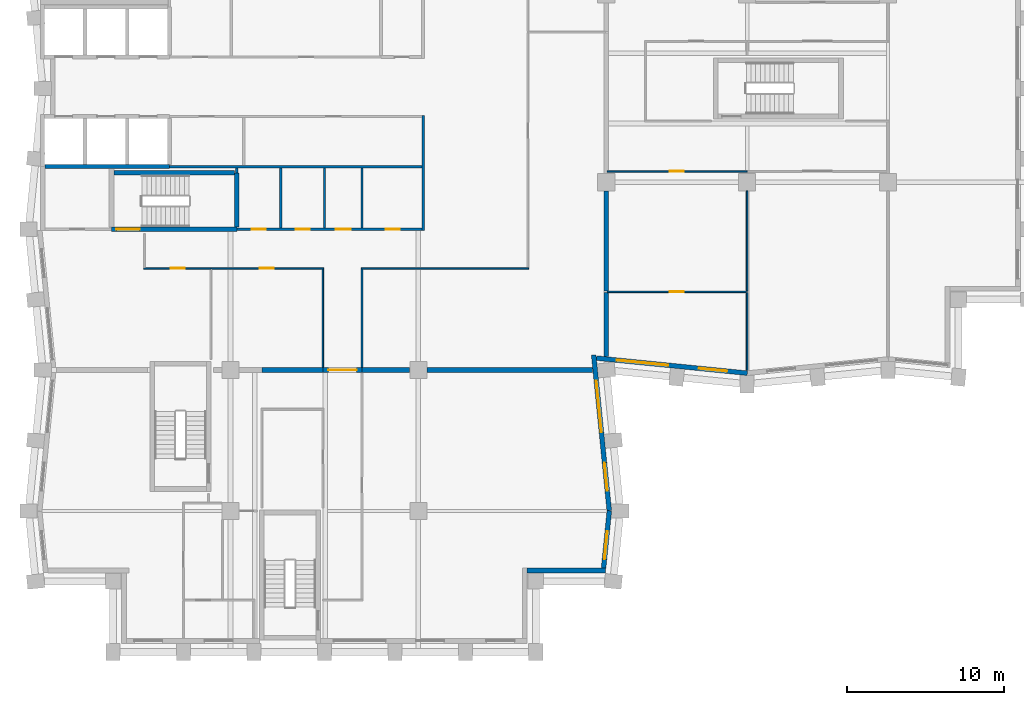
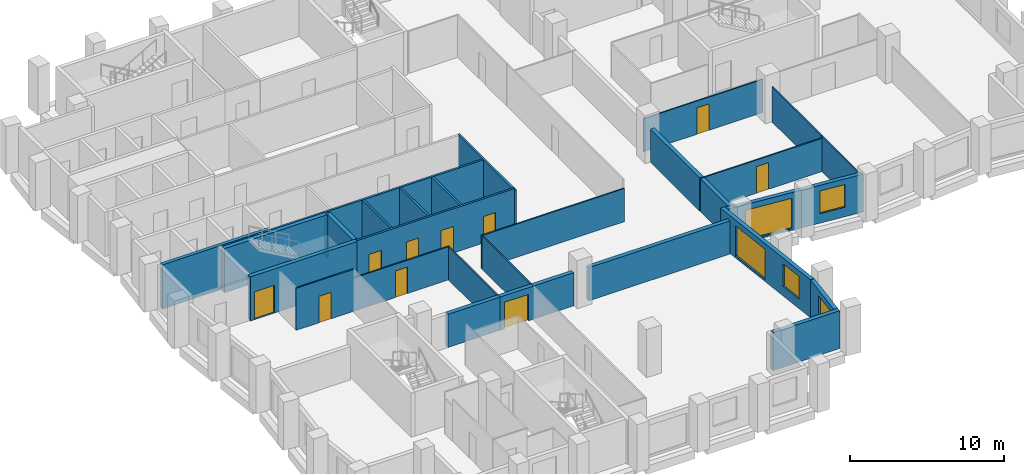
# One storey, part 4 of 10: 30 walls, 10 doors, 5 windows, 15 openings.
"""IFC4 building model written with IfcOpenShell, lengths in metres."""

from ifc_helpers import new_model, si_unit, direction, frame, frame_2d, origin, place, context, subcontext, project, spatial, rectangle, extrude, material, layer, layer_set, type_object, element, fill, save


model = new_model("IFC4")

# Units and contexts
model_context = context("Model", 3, precision=1e-05, world=origin(), true_north=direction((0.0, 1.0)))
body_context = subcontext(model_context, "Body", "Model", "MODEL_VIEW")
ifc_project = project(units=[si_unit("LENGTHUNIT", "METRE"), si_unit("AREAUNIT", "SQUARE_METRE"), si_unit("VOLUMEUNIT", "CUBIC_METRE"), si_unit("PLANEANGLEUNIT", "RADIAN"), si_unit("MASSUNIT", "GRAM", prefix="KILO")], contexts=[model_context])

# Site, building, storey
site_placement = place(None, origin())
site = spatial("IfcSite", under=ifc_project, at=site_placement, CompositionType="ELEMENT")
building_placement = place(site_placement, origin())
building = spatial("IfcBuilding", under=site, at=building_placement, Name="Brondeck Convention Tower", CompositionType="ELEMENT")
storey_placement = place(building_placement, frame((0.0, 0.0, 189.0)))
storey = spatial("IfcBuildingStorey", under=building, at=storey_placement, Name="L46", CompositionType="ELEMENT", Elevation=189.0)

# Wall
ifc_material_1 = material(Name="Concrete compartment wall C30/37", Category="concrete")
ifc_layer_1 = layer(ifc_material_1, 0.300048828125)
ifc_layer_set_1 = layer_set([ifc_layer_1], Name="Compartment wall 300")
wall_type_1 = type_object("IfcWallType", Name="Compartment wall 300", PredefinedType="PARTITIONING", material=ifc_layer_set_1)
wall_1_placement = place(storey_placement, frame((14.0, 27.0, 0.0), z_axis=(0.0, 0.0, 1.0), x_axis=(1.0, 0.0, 0.0)))
element("IfcWall", 1, at=wall_1_placement, inside=storey, type_object=wall_type_1, Name="FLR-L46-W020", PredefinedType="PARTITIONING", context=body_context, shape_type="SweptSolid", body=[
    extrude(rectangle(XDim=3.89990234375, YDim=0.300048828125, at=frame_2d((1.949951171875, 0.0))), origin(), (0.0, 0.0, 1.0), 2.6298828125),
])

# Wall, opening, door
wall_2_placement = place(storey_placement, frame((20.39990234375, 27.0, 0.0), z_axis=(0.0, 0.0, 1.0), x_axis=(-1.0, 0.0, 0.0)))
wall_2 = element("IfcWall", 2, at=wall_2_placement, inside=storey, type_object=wall_type_1, Name="FLR-L46-W021", PredefinedType="PARTITIONING", context=body_context, shape_type="SweptSolid", body=[
    extrude(rectangle(XDim=2.5, YDim=0.300048828125, at=frame_2d((1.25, 0.0))), origin(), (0.0, 0.0, 1.0), 2.6298828125),
])
opening_1_placement = place(wall_2_placement, frame((0.35009765625, 0.0, 0.0)))
opening_1 = element("IfcOpeningElement", 3, at=opening_1_placement, cuts=wall_2, Name="Opening OF-J-016", PredefinedType="OPENING", context=body_context, shape_type="SweptSolid", body=[
    extrude(rectangle(XDim=1.800048828125, YDim=2.10009765625, at=frame_2d((0.89990234375, 1.050048828125))), frame((0.0, 0.159912109375, 0.0), z_axis=(0.0, -1.0, 0.0), x_axis=(1.0, 0.0, 0.0)), (0.0, 0.0, 1.0), 0.320068359375),
])
ifc_material_2 = material(Name="Steel fire door pair", Category="steel")
door_type_1 = type_object("IfcDoorType", Name="Fire door pair 1800", OperationType="DOUBLE_DOOR_SINGLE_SWING", PredefinedType="DOOR", material=ifc_material_2)
door_1_placement = place(opening_1_placement, origin())
door_1 = element("IfcDoor", 4, at=door_1_placement, inside=storey, type_object=door_type_1, Name="Door OF-J-016", OperationType="DOUBLE_DOOR_SINGLE_SWING", OverallHeight=2.10009765625, OverallWidth=1.800048828125, PredefinedType="DOOR", context=body_context, shape_type="SweptSolid", body=[
    extrude(rectangle(XDim=1.800048828125, YDim=2.10009765625, at=frame_2d((0.89990234375, 1.050048828125))), frame((0.0, 0.02490234375, 0.0), z_axis=(0.0, -1.0, 0.0), x_axis=(1.0, 0.0, 0.0)), (0.0, 0.0, 1.0), 0.050048828125),
])
fill(opening_1, door_1)

# Walls
wall_3_placement = place(storey_placement, frame((20.39990234375, 27.0, 0.0), z_axis=(0.0, 0.0, 1.0), x_axis=(1.0, 0.0, 0.0)))
element("IfcWall", 5, at=wall_3_placement, inside=storey, type_object=wall_type_1, Name="FLR-L46-W022", PredefinedType="PARTITIONING", context=body_context, shape_type="SweptSolid", body=[
    extrude(rectangle(XDim=3.045166015625, YDim=0.300048828125, at=frame_2d((1.5224609375, 0.0))), origin(), (0.0, 0.0, 1.0), 2.6298828125),
])
wall_4_placement = place(storey_placement, frame((24.554931640625, 27.0, 0.0), z_axis=(0.0, 0.0, 1.0), x_axis=(1.0, 0.0, 0.0)))
element("IfcWall", 6, at=wall_4_placement, inside=storey, type_object=wall_type_1, Name="FLR-L46-W023", PredefinedType="PARTITIONING", context=body_context, shape_type="SweptSolid", body=[
    extrude(rectangle(XDim=10.57080078125, YDim=0.300048828125, at=frame_2d((5.285400390625, 0.0))), origin(), (0.0, 0.0, 1.0), 2.6298828125),
])
wall_5_placement = place(storey_placement, frame((36.0, 27.874267578125, 0.0), z_axis=(0.0, 0.0, 1.0), x_axis=(0.0, 1.0, 0.0)))
element("IfcWall", 7, at=wall_5_placement, inside=storey, type_object=wall_type_1, Name="FLR-L46-W026", PredefinedType="PARTITIONING", context=body_context, shape_type="SweptSolid", body=[
    extrude(rectangle(XDim=4.07568359375, YDim=0.300048828125, at=frame_2d((2.037841796875, 0.0))), origin(), (0.0, 0.0, 1.0), 2.6298828125),
])
wall_6_placement = place(storey_placement, frame((36.0, 32.050048828125, 0.0), z_axis=(0.0, 0.0, 1.0), x_axis=(0.0, 1.0, 0.0)))
element("IfcWall", 8, at=wall_6_placement, inside=storey, type_object=wall_type_1, Name="FLR-L46-W029", PredefinedType="PARTITIONING", context=body_context, shape_type="SweptSolid", body=[
    extrude(rectangle(XDim=6.39501953125, YDim=0.300048828125, at=frame_2d((3.197509765625, 0.0))), origin(), (0.0, 0.0, 1.0), 2.6298828125),
])

# Wall, openings, doors
ifc_material_3 = material(Name="Concrete C70/85", Category="concrete")
ifc_layer_2 = layer(ifc_material_3, 0.14990234375)
ifc_layer_set_2 = layer_set([ifc_layer_2], Name="Core beam-seat wall 150 Concrete C70/85")
wall_type_2 = type_object("IfcWallType", Name="Core beam-seat wall 150 Concrete C70/85", PredefinedType="SHEAR", material=ifc_layer_set_2)
wall_7_placement = place(storey_placement, frame((12.39990234375, 36.0, 0.0), z_axis=(0.0, 0.0, 1.0), x_axis=(1.0, 0.0, 0.0)))
wall_7 = element("IfcWall", 9, at=wall_7_placement, inside=storey, type_object=wall_type_2, Name="L46 core wall", PredefinedType="SHEAR", context=body_context, shape_type="SweptSolid", body=[
    extrude(rectangle(XDim=11.8251953125, YDim=0.14990234375, at=frame_2d((5.91259765625, 0.0))), origin(), (0.0, 0.0, 1.0), 3.5),
])
opening_2_placement = place(wall_7_placement, frame((0.949951171875, 0.0, 0.0)))
opening_2 = element("IfcOpeningElement", 10, at=opening_2_placement, cuts=wall_7, Name="Opening C25-03", PredefinedType="OPENING", context=body_context, shape_type="SweptSolid", body=[
    extrude(rectangle(XDim=0.89990234375, YDim=2.10009765625, at=frame_2d((0.449951171875, 1.050048828125))), frame((0.0, 0.0849609375, 0.0), z_axis=(0.0, -1.0, 0.0), x_axis=(1.0, 0.0, 0.0)), (0.0, 0.0, 1.0), 0.169921875),
])
opening_3_placement = place(wall_7_placement, frame((3.75, 0.0, 0.0)))
opening_3 = element("IfcOpeningElement", 11, at=opening_3_placement, cuts=wall_7, Name="Opening C25-04", PredefinedType="OPENING", context=body_context, shape_type="SweptSolid", body=[
    extrude(rectangle(XDim=0.89990234375, YDim=2.10009765625, at=frame_2d((0.449951171875, 1.050048828125))), frame((0.0, 0.0849609375, 0.0), z_axis=(0.0, -1.0, 0.0), x_axis=(1.0, 0.0, 0.0)), (0.0, 0.0, 1.0), 0.169921875),
])
opening_4_placement = place(wall_7_placement, frame((6.324951171875, 0.0, 0.0)))
opening_4 = element("IfcOpeningElement", 12, at=opening_4_placement, cuts=wall_7, Name="Opening C25-05", PredefinedType="OPENING", context=body_context, shape_type="SweptSolid", body=[
    extrude(rectangle(XDim=0.949951171875, YDim=2.10009765625, at=frame_2d((0.47509765625, 1.050048828125))), frame((0.0, 0.0849609375, 0.0), z_axis=(0.0, -1.0, 0.0), x_axis=(1.0, 0.0, 0.0)), (0.0, 0.0, 1.0), 0.169921875),
])
opening_5_placement = place(wall_7_placement, frame((9.5, 0.0, 0.0)))
opening_5 = element("IfcOpeningElement", 13, at=opening_5_placement, cuts=wall_7, Name="Opening C25-06", PredefinedType="OPENING", context=body_context, shape_type="SweptSolid", body=[
    extrude(rectangle(XDim=0.89990234375, YDim=2.10009765625, at=frame_2d((0.449951171875, 1.050048828125))), frame((0.0, 0.0849609375, 0.0), z_axis=(0.0, -1.0, 0.0), x_axis=(1.0, 0.0, 0.0)), (0.0, 0.0, 1.0), 0.169921875),
])
ifc_material_4 = material(Name="Steel fire door", Category="steel")
door_type_2 = type_object("IfcDoorType", Name="Room door 900x2100 EI 60", OperationType="NOTDEFINED", PredefinedType="DOOR", material=ifc_material_4)
door_2_placement = place(opening_2_placement, origin())
door_2 = element("IfcDoor", 14, at=door_2_placement, inside=storey, type_object=door_type_2, Name="L46 Room door FR-1", OperationType="SINGLE_SWING_RIGHT", OverallHeight=2.10009765625, OverallWidth=0.89990234375, PredefinedType="DOOR", context=body_context, shape_type="SweptSolid", body=[
    extrude(rectangle(XDim=0.89990234375, YDim=2.10009765625, at=frame_2d((0.449951171875, 1.050048828125))), frame((0.0, 0.02490234375, 0.0), z_axis=(0.0, -1.0, 0.0), x_axis=(1.0, 0.0, 0.0)), (0.0, 0.0, 1.0), 0.050048828125),
])
fill(opening_2, door_2)
door_3_placement = place(opening_3_placement, origin())
door_3 = element("IfcDoor", 15, at=door_3_placement, inside=storey, type_object=door_type_2, Name="L46 Room door FR-2", OperationType="SINGLE_SWING_LEFT", OverallHeight=2.10009765625, OverallWidth=0.89990234375, PredefinedType="DOOR", context=body_context, shape_type="SweptSolid", body=[
    extrude(rectangle(XDim=0.89990234375, YDim=2.10009765625, at=frame_2d((0.449951171875, 1.050048828125))), frame((0.0, 0.02490234375, 0.0), z_axis=(0.0, -1.0, 0.0), x_axis=(1.0, 0.0, 0.0)), (0.0, 0.0, 1.0), 0.050048828125),
])
fill(opening_3, door_3)
door_4_placement = place(opening_5_placement, origin())
door_4 = element("IfcDoor", 16, at=door_4_placement, inside=storey, type_object=door_type_2, Name="L46 Room door FR-4", OperationType="SINGLE_SWING_LEFT", OverallHeight=2.10009765625, OverallWidth=0.89990234375, PredefinedType="DOOR", context=body_context, shape_type="SweptSolid", body=[
    extrude(rectangle(XDim=0.89990234375, YDim=2.10009765625, at=frame_2d((0.449951171875, 1.050048828125))), frame((0.0, 0.02490234375, 0.0), z_axis=(0.0, -1.0, 0.0), x_axis=(1.0, 0.0, 0.0)), (0.0, 0.0, 1.0), 0.050048828125),
])
fill(opening_5, door_4)
door_type_3 = type_object("IfcDoorType", Name="Room door 950x2100 EI 60", OperationType="NOTDEFINED", PredefinedType="DOOR", material=ifc_material_4)
door_5_placement = place(opening_4_placement, origin())
door_5 = element("IfcDoor", 17, at=door_5_placement, inside=storey, type_object=door_type_3, Name="L46 Room door FR-3", OperationType="SINGLE_SWING_RIGHT", OverallHeight=2.10009765625, OverallWidth=0.949951171875, PredefinedType="DOOR", context=body_context, shape_type="SweptSolid", body=[
    extrude(rectangle(XDim=0.949951171875, YDim=2.10009765625, at=frame_2d((0.47509765625, 1.050048828125))), frame((0.0, 0.02490234375, 0.0), z_axis=(0.0, -1.0, 0.0), x_axis=(1.0, 0.0, 0.0)), (0.0, 0.0, 1.0), 0.050048828125),
])
fill(opening_4, door_5)

# Walls
ifc_material_5 = material(Name="Fire-rated gypsum board partition")
ifc_layer_3 = layer(ifc_material_5, 0.14990234375)
ifc_layer_set_3 = layer_set([ifc_layer_3], Name="Core partition 150 EI 60")
wall_type_3 = type_object("IfcWallType", Name="Core partition 150 EI 60", PredefinedType="PARTITIONING", material=ifc_layer_set_3)
wall_8_placement = place(storey_placement, frame((8.10009765625, 40.0, 0.0), z_axis=(0.0, 0.0, 1.0), x_axis=(1.0, 0.0, 0.0)))
element("IfcWall", 18, at=wall_8_placement, inside=storey, type_object=wall_type_3, Name="L46 core wall", PredefinedType="PARTITIONING", context=body_context, shape_type="SweptSolid", body=[
    extrude(rectangle(XDim=16.125, YDim=0.14990234375, at=frame_2d((8.0625, 0.0))), origin(), (0.0, 0.0, 1.0), 3.35009765625),
])
wall_9_placement = place(storey_placement, frame((12.39990234375, 39.60009765625, 0.0), z_axis=(0.0, 0.0, 1.0), x_axis=(0.0, 1.0, 0.0)))
element("IfcWall", 19, at=wall_9_placement, inside=storey, type_object=wall_type_3, Name="L46 core wall", PredefinedType="PARTITIONING", context=body_context, shape_type="SweptSolid", body=[
    extrude(rectangle(XDim=0.324951171875, YDim=0.14990234375, at=frame_2d((0.16259765625, 0.0))), origin(), (0.0, 0.0, 1.0), 3.35009765625),
])
for number, where, z_axis, x_axis, name in (
    (20, (15.199951171875, 36.074951171875, 0.0), (0.0, 0.0, 1.0), (0.0, 1.0, 0.0), "L46 core wall"),
    (21, (18.0, 36.074951171875, 0.0), (0.0, 0.0, 1.0), (0.0, 1.0, 0.0), "L46 core wall"),
    (22, (20.39990234375, 36.074951171875, 0.0), (0.0, 0.0, 1.0), (0.0, 1.0, 0.0), "L46 core wall"),
):
    element("IfcWall", number, at=place(storey_placement, frame(where, z_axis=z_axis, x_axis=x_axis)), inside=storey, type_object=wall_type_3, Name=name, PredefinedType="PARTITIONING", context=body_context, shape_type="SweptSolid", body=[
        extrude(rectangle(XDim=3.85009765625, YDim=0.14990234375, at=frame_2d((1.925048828125, 0.0))), origin(), (0.0, 0.0, 1.0), 3.35009765625),
    ])
wall_10_placement = place(storey_placement, frame((24.300048828125, 35.925048828125, 0.0), z_axis=(0.0, 0.0, 1.0), x_axis=(0.0, 1.0, 0.0)))
element("IfcWall", 23, at=wall_10_placement, inside=storey, type_object=wall_type_3, Name="L46 core wall", PredefinedType="PARTITIONING", context=body_context, shape_type="SweptSolid", body=[
    extrude(rectangle(XDim=7.349853515625, YDim=0.14990234375, at=frame_2d((3.6748046875, 0.0))), origin(), (0.0, 0.0, 1.0), 3.35009765625),
])
ifc_material_6 = material(Name="Precast concrete C50/60 bronze finish", Category="concrete")
ifc_layer_4 = layer(ifc_material_6, 0.070068359375, Name="Bronze precast facing")
ifc_material_7 = material(Name="Mineral wool")
ifc_layer_5 = layer(ifc_material_7, 0.159912109375, Name="Insulation")
ifc_material_8 = material(Name="Concrete C35/45", Category="concrete")
ifc_layer_6 = layer(ifc_material_8, 0.070068359375, Name="Backing")
ifc_layer_set_4 = layer_set([ifc_layer_4, ifc_layer_5, ifc_layer_6], Name="External infill wall, precast concrete C50/60 bronze facing")
wall_type_4 = type_object("IfcWallType", Name="External infill wall, precast concrete C50/60 bronze facing", PredefinedType="SOLIDWALL", material=ifc_layer_set_4)
wall_11_placement = place(storey_placement, frame((35.952392578125, 14.199951171875, 0.0), z_axis=(0.0, 0.0, 1.0), x_axis=(-1.0, 0.0, 0.0)))
element("IfcWall", 24, at=wall_11_placement, inside=storey, type_object=wall_type_4, Name="ENV-EW-L46-P1-NC-SEB9-02", PredefinedType="SOLIDWALL", context=body_context, shape_type="SweptSolid", body=[
    extrude(rectangle(XDim=5.00244140625, YDim=0.300048828125, at=frame_2d((2.501220703125, 0.0))), origin(), (0.0, 0.0, 1.0), 3.0),
])

# Wall, opening, window
wall_12_placement = place(storey_placement, frame((36.197998046875, 18.014892578125, 0.0), z_axis=(0.0, 0.0, 1.0), x_axis=(-0.099529980022, -0.99503456376, 0.0)))
wall_12 = element("IfcWall", 25, at=wall_12_placement, inside=storey, type_object=wall_type_4, Name="ENV-EW-L46-P1-B-E-02", PredefinedType="SOLIDWALL", context=body_context, shape_type="SweptSolid", body=[
    extrude(rectangle(XDim=3.681884765625, YDim=0.300048828125, at=frame_2d((1.8408203125, 0.0))), origin(), (0.0, 0.0, 1.0), 3.0),
])
opening_6_placement = place(wall_12_placement, frame((1.30615234375, 0.0, 0.75)))
opening_6 = element("IfcOpeningElement", 26, at=opening_6_placement, cuts=wall_12, Name="Opening W10", PredefinedType="OPENING", context=body_context, shape_type="SweptSolid", body=[
    extrude(rectangle(XDim=1.800048828125, YDim=1.800048828125, at=frame_2d((0.89990234375, 0.89990234375))), frame((0.0, 0.159912109375, 0.0), z_axis=(0.0, -1.0, 0.0), x_axis=(1.0, 0.0, 0.0)), (0.0, 0.0, 1.0), 0.320068359375),
])
ifc_material_9 = material(Name="Bronze tinted double glazing", Category="glass")
window_type_1 = type_object("IfcWindowType", Name="Punched window, bronze tinted", PartitioningType="SINGLE_PANEL", PredefinedType="WINDOW", material=ifc_material_9)
window_1_placement = place(opening_6_placement, origin())
window_1 = element("IfcWindow", 27, at=window_1_placement, inside=storey, type_object=window_type_1, Name="ENV-WN-L46-P1-B-E-02", OverallHeight=1.800048828125, OverallWidth=1.800048828125, PartitioningType="SINGLE_PANEL", PredefinedType="WINDOW", context=body_context, shape_type="SweptSolid", body=[
    extrude(rectangle(XDim=1.800048828125, YDim=1.800048828125, at=frame_2d((0.89990234375, 0.89990234375))), frame((0.0, 0.030029296875, 0.0), z_axis=(0.0, -1.0, 0.0), x_axis=(1.0, 0.0, 0.0)), (0.0, 0.0, 1.0), 0.06005859375),
])
fill(opening_6, window_1)

# Wall, openings, windows
wall_13_placement = place(storey_placement, frame((35.2001953125, 27.964111328125, 0.0), z_axis=(0.0, 0.0, 1.0), x_axis=(0.099501297882, -0.995037432321, 0.0)))
wall_13 = element("IfcWall", 28, at=wall_13_placement, inside=storey, type_object=wall_type_4, Name="ENV-EW-L46-P1-B-E-01", PredefinedType="SOLIDWALL", context=body_context, shape_type="SweptSolid", body=[
    extrude(rectangle(XDim=9.98388671875, YDim=0.300048828125, at=frame_2d((4.991943359375, 0.0))), origin(), (0.0, 0.0, 1.0), 3.0),
])
opening_7_placement = place(wall_13_placement, frame((1.650146484375, 0.0, 0.14990234375)))
opening_7 = element("IfcOpeningElement", 29, at=opening_7_placement, cuts=wall_13, Name="Opening W9", PredefinedType="OPENING", context=body_context, shape_type="SweptSolid", body=[
    extrude(rectangle(XDim=3.300048828125, YDim=2.39990234375, at=frame_2d((1.64990234375, 1.199951171875))), frame((0.0, 0.159912109375, 0.0), z_axis=(0.0, -1.0, 0.0), x_axis=(1.0, 0.0, 0.0)), (0.0, 0.0, 1.0), 0.320068359375),
])
opening_8_placement = place(wall_13_placement, frame((6.922607421875, 0.0, 0.75)))
opening_8 = element("IfcOpeningElement", 30, at=opening_8_placement, cuts=wall_13, Name="Opening W10", PredefinedType="OPENING", context=body_context, shape_type="SweptSolid", body=[
    extrude(rectangle(XDim=1.800048828125, YDim=1.800048828125, at=frame_2d((0.89990234375, 0.89990234375))), frame((0.0, 0.159912109375, 0.0), z_axis=(0.0, -1.0, 0.0), x_axis=(1.0, 0.0, 0.0)), (0.0, 0.0, 1.0), 0.320068359375),
])
window_type_2 = type_object("IfcWindowType", Name="Glazed flute window, bronze tinted", PartitioningType="SINGLE_PANEL", PredefinedType="WINDOW", material=ifc_material_9)
window_2_placement = place(opening_7_placement, origin())
window_2 = element("IfcWindow", 31, at=window_2_placement, inside=storey, type_object=window_type_2, Name="ENV-WN-L46-P1-B-E-00", OverallHeight=2.39990234375, OverallWidth=3.300048828125, PartitioningType="SINGLE_PANEL", PredefinedType="WINDOW", context=body_context, shape_type="SweptSolid", body=[
    extrude(rectangle(XDim=3.300048828125, YDim=2.39990234375, at=frame_2d((1.64990234375, 1.199951171875))), frame((0.0, 0.030029296875, 0.0), z_axis=(0.0, -1.0, 0.0), x_axis=(1.0, 0.0, 0.0)), (0.0, 0.0, 1.0), 0.06005859375),
])
fill(opening_7, window_2)
window_3_placement = place(opening_8_placement, origin())
window_3 = element("IfcWindow", 32, at=window_3_placement, inside=storey, type_object=window_type_1, Name="ENV-WN-L46-P1-B-E-01", OverallHeight=1.800048828125, OverallWidth=1.800048828125, PartitioningType="SINGLE_PANEL", PredefinedType="WINDOW", context=body_context, shape_type="SweptSolid", body=[
    extrude(rectangle(XDim=1.800048828125, YDim=1.800048828125, at=frame_2d((0.89990234375, 0.89990234375))), frame((0.0, 0.030029296875, 0.0), z_axis=(0.0, -1.0, 0.0), x_axis=(1.0, 0.0, 0.0)), (0.0, 0.0, 1.0), 0.06005859375),
])
fill(opening_8, window_3)

wall_14_placement = place(storey_placement, frame((45.014892578125, 26.802001953125, 0.0), z_axis=(0.0, 0.0, 1.0), x_axis=(-0.995037689759, 0.099498723402, 0.0)))
wall_14 = element("IfcWall", 33, at=wall_14_placement, inside=storey, type_object=wall_type_4, Name="ENV-EW-L46-P1-A-S-00", PredefinedType="SOLIDWALL", context=body_context, shape_type="SweptSolid", body=[
    extrude(rectangle(XDim=9.677490234375, YDim=0.300048828125, at=frame_2d((4.8388671875, 0.0))), origin(), (0.0, 0.0, 1.0), 3.0),
])
opening_9_placement = place(wall_14_placement, frame((1.30615234375, 0.0, 0.75)))
opening_9 = element("IfcOpeningElement", 34, at=opening_9_placement, cuts=wall_14, Name="Opening W10", PredefinedType="OPENING", context=body_context, shape_type="SweptSolid", body=[
    extrude(rectangle(XDim=1.800048828125, YDim=1.800048828125, at=frame_2d((0.89990234375, 0.89990234375))), frame((0.0, 0.159912109375, 0.0), z_axis=(0.0, -1.0, 0.0), x_axis=(1.0, 0.0, 0.0)), (0.0, 0.0, 1.0), 0.320068359375),
])
opening_10_placement = place(wall_14_placement, frame((5.07861328125, 0.0, 0.14990234375)))
opening_10 = element("IfcOpeningElement", 35, at=opening_10_placement, cuts=wall_14, Name="Opening W9", PredefinedType="OPENING", context=body_context, shape_type="SweptSolid", body=[
    extrude(rectangle(XDim=3.300048828125, YDim=2.39990234375, at=frame_2d((1.64990234375, 1.199951171875))), frame((0.0, 0.159912109375, 0.0), z_axis=(0.0, -1.0, 0.0), x_axis=(1.0, 0.0, 0.0)), (0.0, 0.0, 1.0), 0.320068359375),
])
window_4_placement = place(opening_10_placement, origin())
window_4 = element("IfcWindow", 36, at=window_4_placement, inside=storey, type_object=window_type_2, Name="ENV-WN-L46-P1-A-S-00", OverallHeight=2.39990234375, OverallWidth=3.300048828125, PartitioningType="SINGLE_PANEL", PredefinedType="WINDOW", context=body_context, shape_type="SweptSolid", body=[
    extrude(rectangle(XDim=3.300048828125, YDim=2.39990234375, at=frame_2d((1.64990234375, 1.199951171875))), frame((0.0, 0.030029296875, 0.0), z_axis=(0.0, -1.0, 0.0), x_axis=(1.0, 0.0, 0.0)), (0.0, 0.0, 1.0), 0.06005859375),
])
fill(opening_10, window_4)
window_5_placement = place(opening_9_placement, origin())
window_5 = element("IfcWindow", 37, at=window_5_placement, inside=storey, type_object=window_type_1, Name="ENV-WN-L46-P1-A-S-01", OverallHeight=1.800048828125, OverallWidth=1.800048828125, PartitioningType="SINGLE_PANEL", PredefinedType="WINDOW", context=body_context, shape_type="SweptSolid", body=[
    extrude(rectangle(XDim=1.800048828125, YDim=1.800048828125, at=frame_2d((0.89990234375, 0.89990234375))), frame((0.0, 0.030029296875, 0.0), z_axis=(0.0, -1.0, 0.0), x_axis=(1.0, 0.0, 0.0)), (0.0, 0.0, 1.0), 0.06005859375),
])
fill(opening_9, window_5)

# Walls
ifc_layer_7 = layer(ifc_material_3, 0.25)
ifc_layer_set_5 = layer_set([ifc_layer_7], Name="Lift shaft wall 250 Concrete C70/85")
wall_type_5 = type_object("IfcWallType", Name="Lift shaft wall 250 Concrete C70/85", PredefinedType="SHEAR", material=ifc_layer_set_5)
wall_15_placement = place(storey_placement, frame((0.14990234375, 40.0, 0.0), z_axis=(0.0, 0.0, 1.0), x_axis=(1.0, 0.0, 0.0)))
element("IfcWall", 38, at=wall_15_placement, inside=storey, type_object=wall_type_5, Name="L46 core wall", PredefinedType="SHEAR", context=body_context, shape_type="SweptSolid", body=[
    extrude(rectangle(XDim=7.9501953125, YDim=0.25, at=frame_2d((3.97509765625, 0.0))), origin(), (0.0, 0.0, 1.0), 3.5),
])
ifc_material_10 = material(Name="Gypsum board partition on steel studs", Category="steel")
ifc_layer_8 = layer(ifc_material_10, 0.10009765625)
ifc_layer_set_6 = layer_set([ifc_layer_8], Name="Room partition 100")
wall_type_6 = type_object("IfcWallType", Name="Room partition 100", PredefinedType="PARTITIONING", material=ifc_layer_set_6)
wall_16_placement = place(storey_placement, frame((17.89990234375, 27.169921875, 0.0), z_axis=(0.0, 0.0, 1.0), x_axis=(0.0, 1.0, 0.0)))
element("IfcWall", 39, at=wall_16_placement, inside=storey, type_object=wall_type_6, Name="FLR-L46-W024", PredefinedType="PARTITIONING", context=body_context, shape_type="SweptSolid", body=[
    extrude(rectangle(XDim=6.280029296875, YDim=0.10009765625, at=frame_2d((3.14013671875, 0.0))), origin(), (0.0, 0.0, 1.0), 2.6298828125),
])
wall_17_placement = place(storey_placement, frame((45.0, 31.949951171875, 0.0), z_axis=(0.0, 0.0, 1.0), x_axis=(0.0, -1.0, 0.0)))
element("IfcWall", 40, at=wall_17_placement, inside=storey, type_object=wall_type_6, Name="FLR-L46-W027", PredefinedType="PARTITIONING", context=body_context, shape_type="SweptSolid", body=[
    extrude(rectangle(XDim=4.975830078125, YDim=0.10009765625, at=frame_2d((2.48779296875, 0.0))), origin(), (0.0, 0.0, 1.0), 2.780029296875),
])

# Wall, opening, door
wall_18_placement = place(storey_placement, frame((44.949951171875, 32.0, 0.0), z_axis=(0.0, 0.0, 1.0), x_axis=(-1.0, 0.0, 0.0)))
wall_18 = element("IfcWall", 41, at=wall_18_placement, inside=storey, type_object=wall_type_6, Name="FLR-L46-W028", PredefinedType="PARTITIONING", context=body_context, shape_type="SweptSolid", body=[
    extrude(rectangle(XDim=8.89990234375, YDim=0.10009765625, at=frame_2d((4.449951171875, 0.0))), origin(), (0.0, 0.0, 1.0), 2.6298828125),
])
opening_11_placement = place(wall_18_placement, frame((4.0, 0.0, 0.0)))
opening_11 = element("IfcOpeningElement", 42, at=opening_11_placement, cuts=wall_18, Name="Opening OF-J-007", PredefinedType="OPENING", context=body_context, shape_type="SweptSolid", body=[
    extrude(rectangle(XDim=0.89990234375, YDim=2.10009765625, at=frame_2d((0.449951171875, 1.050048828125))), frame((0.0, 0.06005859375, 0.0), z_axis=(0.0, -1.0, 0.0), x_axis=(1.0, 0.0, 0.0)), (0.0, 0.0, 1.0), 0.1201171875),
])
ifc_material_11 = material(Name="Solid timber door leaf", Category="wood")
door_type_4 = type_object("IfcDoorType", Name="Single door 900", OperationType="NOTDEFINED", PredefinedType="DOOR", material=ifc_material_11)
door_6_placement = place(opening_11_placement, origin())
door_6 = element("IfcDoor", 43, at=door_6_placement, inside=storey, type_object=door_type_4, Name="Door OF-J-007", OperationType="SINGLE_SWING_LEFT", OverallHeight=2.10009765625, OverallWidth=0.89990234375, PredefinedType="DOOR", context=body_context, shape_type="SweptSolid", body=[
    extrude(rectangle(XDim=0.89990234375, YDim=2.10009765625, at=frame_2d((0.449951171875, 1.050048828125))), frame((0.0, 0.02490234375, 0.0), z_axis=(0.0, -1.0, 0.0), x_axis=(1.0, 0.0, 0.0)), (0.0, 0.0, 1.0), 0.050048828125),
])
fill(opening_11, door_6)

# Wall
wall_19_placement = place(storey_placement, frame((20.39990234375, 33.449951171875, 0.0), z_axis=(0.0, 0.0, 1.0), x_axis=(0.0, -1.0, 0.0)))
element("IfcWall", 44, at=wall_19_placement, inside=storey, type_object=wall_type_6, Name="FLR-L46-W031", PredefinedType="PARTITIONING", context=body_context, shape_type="SweptSolid", body=[
    extrude(rectangle(XDim=6.280029296875, YDim=0.10009765625, at=frame_2d((3.14013671875, 0.0))), origin(), (0.0, 0.0, 1.0), 2.6298828125),
])

# Wall, opening, door
wall_20_placement = place(storey_placement, frame((10.748046875, 33.5, 0.0), z_axis=(0.0, 0.0, 1.0), x_axis=(-1.0, 0.0, 0.0)))
wall_20 = element("IfcWall", 45, at=wall_20_placement, inside=storey, type_object=wall_type_6, Name="FLR-L46-W032", PredefinedType="PARTITIONING", context=body_context, shape_type="SweptSolid", body=[
    extrude(rectangle(XDim=4.298095703125, YDim=0.10009765625, at=frame_2d((2.14892578125, 0.0))), origin(), (0.0, 0.0, 1.0), 3.330078125),
])
opening_12_placement = place(wall_20_placement, frame((1.674072265625, 0.0, 0.0)))
opening_12 = element("IfcOpeningElement", 46, at=opening_12_placement, cuts=wall_20, Name="Opening OF-J-012", PredefinedType="OPENING", context=body_context, shape_type="SweptSolid", body=[
    extrude(rectangle(XDim=0.89990234375, YDim=2.10009765625, at=frame_2d((0.449951171875, 1.050048828125))), frame((0.0, 0.06005859375, 0.0), z_axis=(0.0, -1.0, 0.0), x_axis=(1.0, 0.0, 0.0)), (0.0, 0.0, 1.0), 0.1201171875),
])
door_7_placement = place(opening_12_placement, origin())
door_7 = element("IfcDoor", 47, at=door_7_placement, inside=storey, type_object=door_type_4, Name="Door OF-J-012", OperationType="SINGLE_SWING_RIGHT", OverallHeight=2.10009765625, OverallWidth=0.89990234375, PredefinedType="DOOR", context=body_context, shape_type="SweptSolid", body=[
    extrude(rectangle(XDim=0.89990234375, YDim=2.10009765625, at=frame_2d((0.449951171875, 1.050048828125))), frame((0.0, 0.02490234375, 0.0), z_axis=(0.0, -1.0, 0.0), x_axis=(1.0, 0.0, 0.0)), (0.0, 0.0, 1.0), 0.050048828125),
])
fill(opening_12, door_7)

wall_21_placement = place(storey_placement, frame((17.949951171875, 33.5, 0.0), z_axis=(0.0, 0.0, 1.0), x_axis=(-1.0, 0.0, 0.0)))
wall_21 = element("IfcWall", 48, at=wall_21_placement, inside=storey, type_object=wall_type_6, Name="FLR-L46-W033", PredefinedType="PARTITIONING", context=body_context, shape_type="SweptSolid", body=[
    extrude(rectangle(XDim=7.201904296875, YDim=0.10009765625, at=frame_2d((3.60107421875, 0.0))), origin(), (0.0, 0.0, 1.0), 2.6298828125),
])
opening_13_placement = place(wall_21_placement, frame((3.176025390625, 0.0, 0.0)))
opening_13 = element("IfcOpeningElement", 49, at=opening_13_placement, cuts=wall_21, Name="Opening OF-J-013", PredefinedType="OPENING", context=body_context, shape_type="SweptSolid", body=[
    extrude(rectangle(XDim=0.89990234375, YDim=2.10009765625, at=frame_2d((0.449951171875, 1.050048828125))), frame((0.0, 0.06005859375, 0.0), z_axis=(0.0, -1.0, 0.0), x_axis=(1.0, 0.0, 0.0)), (0.0, 0.0, 1.0), 0.1201171875),
])
door_8_placement = place(opening_13_placement, origin())
door_8 = element("IfcDoor", 50, at=door_8_placement, inside=storey, type_object=door_type_4, Name="Door OF-J-013", OperationType="SINGLE_SWING_RIGHT", OverallHeight=2.10009765625, OverallWidth=0.89990234375, PredefinedType="DOOR", context=body_context, shape_type="SweptSolid", body=[
    extrude(rectangle(XDim=0.89990234375, YDim=2.10009765625, at=frame_2d((0.449951171875, 1.050048828125))), frame((0.0, 0.02490234375, 0.0), z_axis=(0.0, -1.0, 0.0), x_axis=(1.0, 0.0, 0.0)), (0.0, 0.0, 1.0), 0.050048828125),
])
fill(opening_13, door_8)

# Walls
wall_22_placement = place(storey_placement, frame((31.050048828125, 33.5, 0.0), z_axis=(0.0, 0.0, 1.0), x_axis=(-1.0, 0.0, 0.0)))
element("IfcWall", 51, at=wall_22_placement, inside=storey, type_object=wall_type_6, Name="FLR-L46-W034", PredefinedType="PARTITIONING", context=body_context, shape_type="SweptSolid", body=[
    extrude(rectangle(XDim=10.699951171875, YDim=0.10009765625, at=frame_2d((5.35009765625, 0.0))), origin(), (0.0, 0.0, 1.0), 2.6298828125),
])
wall_23_placement = place(storey_placement, frame((45.0, 38.445068359375, 0.0), z_axis=(0.0, 0.0, 1.0), x_axis=(0.0, -1.0, 0.0)))
element("IfcWall", 52, at=wall_23_placement, inside=storey, type_object=wall_type_6, Name="FLR-L46-W036", PredefinedType="PARTITIONING", context=body_context, shape_type="SweptSolid", body=[
    extrude(rectangle(XDim=6.39501953125, YDim=0.10009765625, at=frame_2d((3.197509765625, 0.0))), origin(), (0.0, 0.0, 1.0), 2.780029296875),
])

# Wall, opening, door
wall_24_placement = place(storey_placement, frame((45.0, 39.699951171875, 0.0), z_axis=(0.0, 0.0, 1.0), x_axis=(-1.0, 0.0, 0.0)))
wall_24 = element("IfcWall", 53, at=wall_24_placement, inside=storey, type_object=wall_type_6, Name="FLR-L46-W037", PredefinedType="PARTITIONING", context=body_context, shape_type="SweptSolid", body=[
    extrude(rectangle(XDim=8.949951171875, YDim=0.10009765625, at=frame_2d((4.47509765625, 0.0))), origin(), (0.0, 0.0, 1.0), 2.6298828125),
])
opening_14_placement = place(wall_24_placement, frame((4.050048828125, 0.0, 0.0)))
opening_14 = element("IfcOpeningElement", 54, at=opening_14_placement, cuts=wall_24, Name="Opening OF-J-006", PredefinedType="OPENING", context=body_context, shape_type="SweptSolid", body=[
    extrude(rectangle(XDim=0.89990234375, YDim=2.10009765625, at=frame_2d((0.449951171875, 1.050048828125))), frame((0.0, 0.06005859375, 0.0), z_axis=(0.0, -1.0, 0.0), x_axis=(1.0, 0.0, 0.0)), (0.0, 0.0, 1.0), 0.1201171875),
])
door_9_placement = place(opening_14_placement, origin())
door_9 = element("IfcDoor", 55, at=door_9_placement, inside=storey, type_object=door_type_4, Name="Door OF-J-006", OperationType="SINGLE_SWING_LEFT", OverallHeight=2.10009765625, OverallWidth=0.89990234375, PredefinedType="DOOR", context=body_context, shape_type="SweptSolid", body=[
    extrude(rectangle(XDim=0.89990234375, YDim=2.10009765625, at=frame_2d((0.449951171875, 1.050048828125))), frame((0.0, 0.02490234375, 0.0), z_axis=(0.0, -1.0, 0.0), x_axis=(1.0, 0.0, 0.0)), (0.0, 0.0, 1.0), 0.050048828125),
])
fill(opening_14, door_9)

ifc_layer_9 = layer(ifc_material_3, 0.300048828125)
ifc_layer_set_7 = layer_set([ifc_layer_9], Name="Stair enclosure wall 300 Concrete C70/85")
wall_type_7 = type_object("IfcWallType", Name="Stair enclosure wall 300 Concrete C70/85", PredefinedType="SHEAR", material=ifc_layer_set_7)
wall_25_placement = place(storey_placement, frame((4.39990234375, 36.0, 0.0), z_axis=(0.0, 0.0, 1.0), x_axis=(1.0, 0.0, 0.0)))
wall_25 = element("IfcWall", 56, at=wall_25_placement, inside=storey, type_object=wall_type_7, Name="L46 core wall", PredefinedType="SHEAR", context=body_context, shape_type="SweptSolid", body=[
    extrude(rectangle(XDim=8.0, YDim=0.300048828125, at=frame_2d((4.0, 0.0))), origin(), (0.0, 0.0, 1.0), 3.5),
])
opening_15_placement = place(wall_25_placement, frame((0.300048828125, 0.0, 0.0)))
opening_15 = element("IfcOpeningElement", 57, at=opening_15_placement, cuts=wall_25, Name="Opening C25-14", PredefinedType="OPENING", context=body_context, shape_type="SweptSolid", body=[
    extrude(rectangle(XDim=1.5, YDim=2.199951171875, at=frame_2d((0.75, 1.10009765625))), frame((0.0, 0.159912109375, 0.0), z_axis=(0.0, -1.0, 0.0), x_axis=(1.0, 0.0, 0.0)), (0.0, 0.0, 1.0), 0.320068359375),
])
door_type_5 = type_object("IfcDoorType", Name="Stair door 1500x2200 EI 90", OperationType="NOTDEFINED", PredefinedType="DOOR", material=ifc_material_4)
door_10_placement = place(opening_15_placement, origin())
door_10 = element("IfcDoor", 58, at=door_10_placement, inside=storey, type_object=door_type_5, Name="L46 Stair door ST-1", OperationType="SINGLE_SWING_RIGHT", OverallHeight=2.199951171875, OverallWidth=1.5, PredefinedType="DOOR", context=body_context, shape_type="SweptSolid", body=[
    extrude(rectangle(XDim=1.5, YDim=2.199951171875, at=frame_2d((0.75, 1.10009765625))), frame((0.0, 0.02490234375, 0.0), z_axis=(0.0, -1.0, 0.0), x_axis=(1.0, 0.0, 0.0)), (0.0, 0.0, 1.0), 0.050048828125),
])
fill(opening_15, door_10)

# Walls
wall_26_placement = place(storey_placement, frame((4.550048828125, 39.60009765625, 0.0), z_axis=(0.0, 0.0, 1.0), x_axis=(1.0, 0.0, 0.0)))
element("IfcWall", 59, at=wall_26_placement, inside=storey, type_object=wall_type_7, Name="L46 core wall", PredefinedType="SHEAR", context=body_context, shape_type="SweptSolid", body=[
    extrude(rectangle(XDim=7.699951171875, YDim=0.300048828125, at=frame_2d((3.85009765625, 0.0))), origin(), (0.0, 0.0, 1.0), 3.5),
])
wall_27_placement = place(storey_placement, frame((12.39990234375, 36.14990234375, 0.0), z_axis=(0.0, 0.0, 1.0), x_axis=(0.0, 1.0, 0.0)))
element("IfcWall", 60, at=wall_27_placement, inside=storey, type_object=wall_type_7, Name="L46 core wall", PredefinedType="SHEAR", context=body_context, shape_type="SweptSolid", body=[
    extrude(rectangle(XDim=3.4501953125, YDim=0.300048828125, at=frame_2d((1.72509765625, 0.0))), origin(), (0.0, 0.0, 1.0), 3.5),
])

save(model, "model.ifc")
